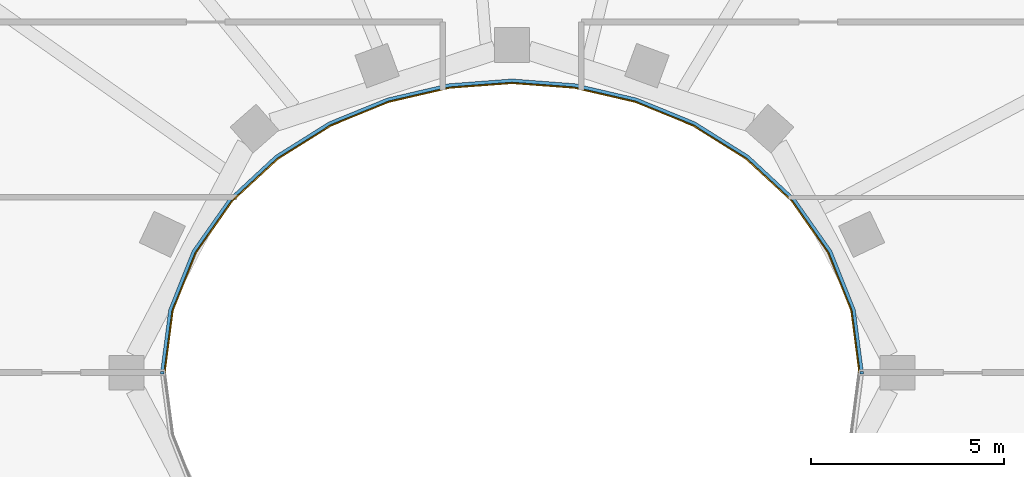
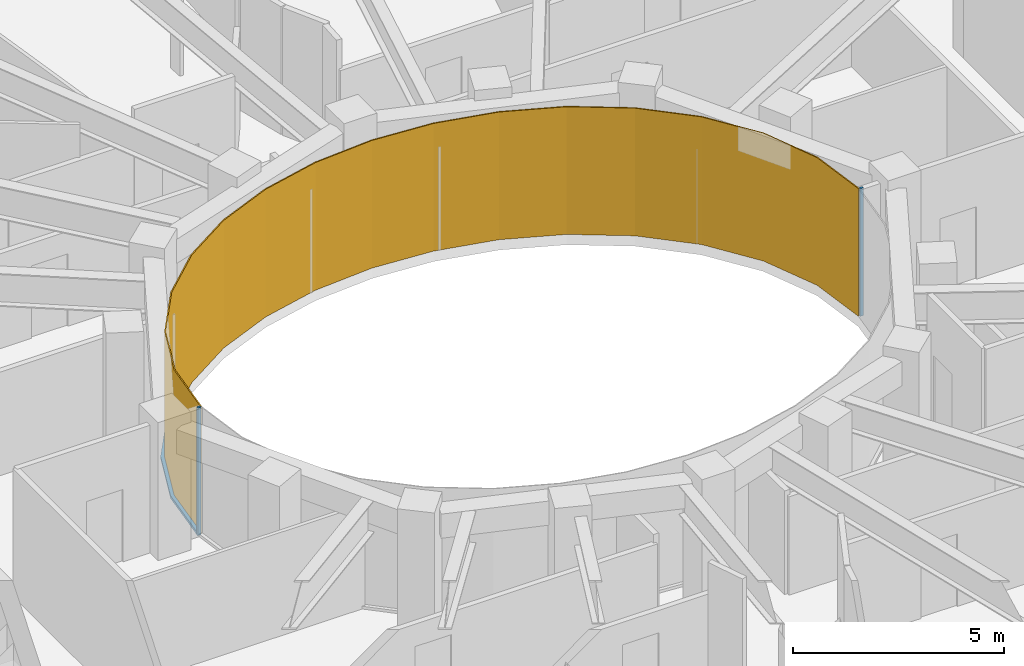
# One storey, part 12 of 16: 3 members, 1 curtain wall.
"""IFC4 building model written with IfcOpenShell, lengths in metres."""

from ifc_helpers import new_model, si_unit, direction, frame, origin, origin_2d, place, context, subcontext, project, spatial, polyline, rectangle, outline, extrude, material, layer, layer_set, material_profile, profile_set, type_object, element, aggregate, save


model = new_model("IFC4")

# Units and contexts
model_context = context("Model", 3, precision=1e-05, world=origin(), true_north=direction((0.0, 1.0)))
body_context = subcontext(model_context, "Body", "Model", "MODEL_VIEW")
ifc_project = project(units=[si_unit("LENGTHUNIT", "METRE"), si_unit("AREAUNIT", "SQUARE_METRE"), si_unit("VOLUMEUNIT", "CUBIC_METRE"), si_unit("PLANEANGLEUNIT", "RADIAN"), si_unit("MASSUNIT", "GRAM", prefix="KILO")], contexts=[model_context])

# Member
ifc_material_1 = material(Name="Steel S355 fire-resisting frame", Category="steel")
ifc_material_profile = material_profile(ifc_material_1, rectangle(XDim=0.090087890625, YDim=0.06005859375, at=origin_2d()), Name="90x60")
ifc_profile_set = profile_set([ifc_material_profile], Name="Steel S355 fire-resisting frame")
member_type_1 = type_object("IfcMemberType", Name="ENV-MULLION-W-90", PredefinedType="MULLION", material=ifc_profile_set)
site_placement = place(None, origin())
building_placement = place(site_placement, origin())
storey_placement = place(building_placement, frame((0.0, 0.0, 315.0)))
member_1_placement = place(storey_placement, frame((9.076904296875, 0.0, 0.0), z_axis=(0.0, 0.0, 1.0), x_axis=(1.0, 0.0, 0.0)))
member_1 = element("IfcMember", 1, at=member_1_placement, type_object=member_type_1, Name="Mullion W well vertex 01", PredefinedType="MULLION", context=body_context, shape_type="SweptSolid", body=[
    extrude(rectangle(XDim=0.090087890625, YDim=0.06005859375, at=origin_2d()), origin(), (0.0, 0.0, 1.0), 3.699951171875),
])

member_2_placement = place(storey_placement, frame((-9.076904296875, 0.0, 0.0), z_axis=(0.0, 0.0, 1.0), x_axis=(-1.0, 0.0, 0.0)))
member_2 = element("IfcMember", 2, at=member_2_placement, type_object=member_type_1, Name="Mullion W well vertex 17", PredefinedType="MULLION", context=body_context, shape_type="SweptSolid", body=[
    extrude(rectangle(XDim=0.090087890625, YDim=0.06005859375, at=origin_2d()), origin(), (0.0, 0.0, 1.0), 3.699951171875),
])

ifc_material_2 = material(Name="Steel S355 fire-resisting frame", Category="steel")
member_type_2 = type_object("IfcMemberType", Name="ENV-TRANSOM-W", PredefinedType="USERDEFINED", material=ifc_material_2)
member_3_placement = place(storey_placement, origin())
member_3 = element("IfcMember", 3, at=member_3_placement, type_object=member_type_2, Name="Transom W well 01-17", ObjectType="TRANSOM", PredefinedType="USERDEFINED", context=body_context, shape_type="SweptSolid", body=[
    extrude(outline(polyline([(9.119384765625, 0.02783203125), (8.910400390625, 1.63623046875), (8.29833984375, 3.167236328125), (7.35107421875, 4.5146484375), (6.1455078125, 5.6337890625), (4.75341796875, 6.50634765625), (3.233642578125, 7.127685546875), (1.635498046875, 7.498779296875), (0.0, 7.622314453125), (-1.635498046875, 7.498779296875), (-3.233642578125, 7.127685546875), (-4.75341796875, 6.50634765625), (-6.1455078125, 5.6337890625), (-7.35107421875, 4.5146484375), (-8.29833984375, 3.167236328125), (-8.910400390625, 1.63623046875), (-9.119384765625, 0.02783203125), (-9.02880859375, 0.02783203125), (-8.822509765625, 1.61328125), (-8.21875, 3.124267578125), (-7.282958984375, 4.455078125), (-6.090576171875, 5.56201171875), (-4.712158203125, 6.426025390625), (-3.206298828125, 7.04150390625), (-1.621826171875, 7.40966796875), (0.0, 7.531982421875), (1.621826171875, 7.40966796875), (3.206298828125, 7.04150390625), (4.712158203125, 6.426025390625), (6.090576171875, 5.56201171875), (7.282958984375, 4.455078125), (8.21875, 3.124267578125), (8.822509765625, 1.61328125), (9.02880859375, 0.02783203125), (9.119384765625, 0.02783203125)])), origin(), (0.0, 0.0, 1.0), 0.080078125),
])

# Site, building, storey
site = spatial("IfcSite", under=ifc_project, at=site_placement, CompositionType="ELEMENT")
building = spatial("IfcBuilding", under=site, at=building_placement, Name="Noorbagh Ring Tower", CompositionType="ELEMENT")
storey = spatial("IfcBuildingStorey", under=building, at=storey_placement, Name="L68", CompositionType="ELEMENT", Elevation=315.0)

# Curtain wall
ifc_material_3 = material(Name="Glass fire-resisting E60 laminated", Category="glass")
ifc_layer = layer(ifc_material_3, 0.031982421875)
ifc_layer_set = layer_set([ifc_layer], Name="Glass fire-resisting E60 laminated")
curtain_wall_type = type_object("IfcCurtainWallType", Name="ENV-CW-W", PredefinedType="NOTDEFINED", material=ifc_layer_set)
curtain_wall_placement = place(storey_placement, origin())
curtain_wall = element("IfcCurtainWall", 4, at=curtain_wall_placement, inside=storey, type_object=curtain_wall_type, Name="Curtain wall W W01", PredefinedType="NOTDEFINED", context=body_context, shape_type="SweptSolid", body=[
    extrude(outline(polyline([(9.0322265625, 0.0), (8.822509765625, 1.61328125), (8.21875, 3.124267578125), (7.282958984375, 4.455078125), (6.090576171875, 5.56201171875), (4.712158203125, 6.426025390625), (3.206298828125, 7.04150390625), (1.621826171875, 7.40966796875), (0.0, 7.531982421875), (-1.621826171875, 7.40966796875), (-3.206298828125, 7.04150390625), (-4.712158203125, 6.426025390625), (-6.090576171875, 5.56201171875), (-7.282958984375, 4.455078125), (-8.21875, 3.124267578125), (-8.822509765625, 1.61328125), (-9.0322265625, 0.0), (-9.0, 0.0), (-8.79150390625, 1.605224609375), (-8.1904296875, 3.10888671875), (-7.2587890625, 4.43408203125), (-6.071044921875, 5.53662109375), (-4.697509765625, 6.3974609375), (-3.196533203125, 7.010986328125), (-1.6171875, 7.3779296875), (0.0, 7.5), (1.6171875, 7.3779296875), (3.196533203125, 7.010986328125), (4.697509765625, 6.3974609375), (6.071044921875, 5.53662109375), (7.2587890625, 4.43408203125), (8.1904296875, 3.10888671875), (8.79150390625, 1.605224609375), (9.0, 0.0), (9.0322265625, 0.0)])), origin(), (0.0, 0.0, 1.0), 3.699951171875),
])

aggregate(curtain_wall, [member_1, member_2, member_3])

save(model, "model.ifc")
